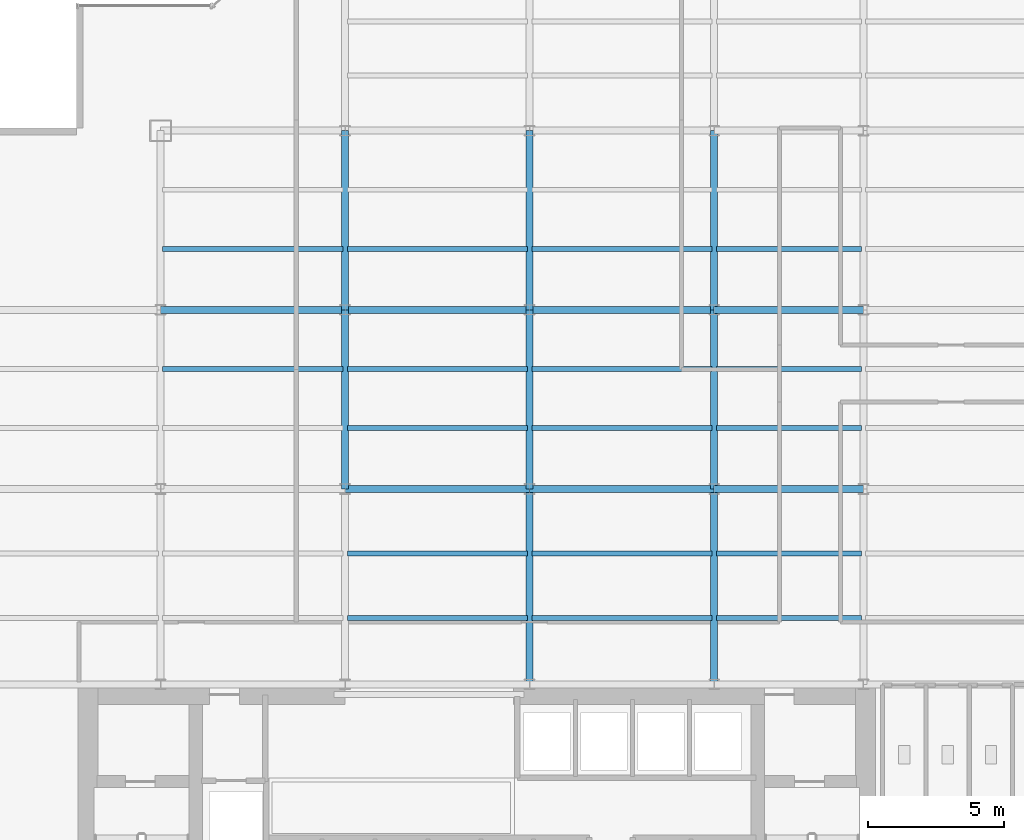
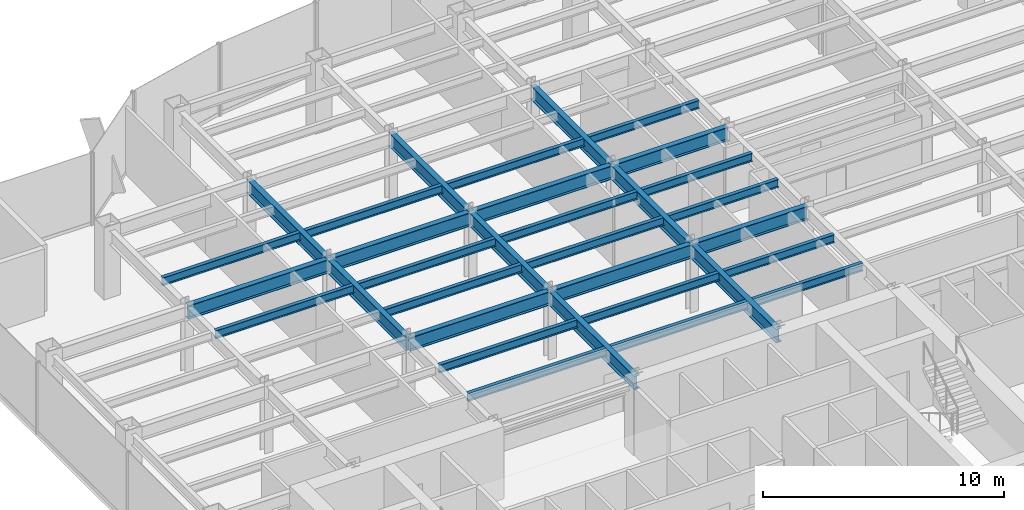
# One storey, part 7 of 26: 32 beams.
"""IFC4 building model written with IfcOpenShell, lengths in metres."""

from ifc_helpers import new_model, si_unit, derived_unit, direction, frame, origin, origin_2d, place, context, subcontext, project, spatial, i_section, extrude, source, transform, mapped, material, material_profile, profile_set, type_object, element, save


model = new_model("IFC4")

# Units and contexts
model_context = context("Model", 3, precision=1e-05, world=origin(), true_north=direction((0.0, 1.0)))
body_context = subcontext(model_context, "Body", "Model", "MODEL_VIEW")
ifc_project = project(units=[si_unit("LENGTHUNIT", "METRE"), si_unit("AREAUNIT", "SQUARE_METRE"), si_unit("VOLUMEUNIT", "CUBIC_METRE"), si_unit("PLANEANGLEUNIT", "RADIAN"), si_unit("MASSUNIT", "GRAM", prefix="KILO"), derived_unit("THERMALTRANSMITTANCEUNIT", [(si_unit("POWERUNIT", "WATT"), 1), (si_unit("LENGTHUNIT", "METRE"), -2), (si_unit("THERMODYNAMICTEMPERATUREUNIT", "KELVIN"), -1)])], contexts=[model_context])

# Site, building, storey
site_placement = place(None, origin())
site = spatial("IfcSite", under=ifc_project, at=site_placement, CompositionType="ELEMENT")
building_placement = place(site_placement, origin())
building = spatial("IfcBuilding", under=site, at=building_placement, Name="Skarnbrae Concourse Arena and Tower", CompositionType="ELEMENT")
storey_placement = place(building_placement, frame((0.0, 0.0, 99.60009765625)))
storey = spatial("IfcBuildingStorey", under=building, at=storey_placement, Name="L24", CompositionType="ELEMENT", Elevation=99.60009765625)

# Beams
ifc_material = material(Name="Steel CSA G40.21 350W", Category="steel")
ifc_material_profile_1 = material_profile(ifc_material, i_section(OverallWidth=0.256103515625, OverallDepth=0.693115234375, WebThickness=0.014404296875, FlangeThickness=0.023681640625, at=origin_2d()), Name="W690X170")
ifc_profile_set_1 = profile_set([ifc_material_profile_1], Name="Steel CSA G40.21 350W")
beam_type_1 = type_object("IfcBeamType", Name="BM-GIRD-W690X170", PredefinedType="BEAM", material=ifc_profile_set_1)
shared_shape_1 = source(origin(), body_context, "Body", "SweptSolid", [
    extrude(i_section(OverallWidth=0.256103515625, OverallDepth=0.693115234375, WebThickness=0.014404296875, FlangeThickness=0.023681640625, at=origin_2d()), origin(), (0.0, 0.0, 1.0), 6.60009765625),
])
for number, where, z_axis, x_axis, name in (
    (1, (14.39990234375, 21.199951171875, 3.053466796875), (0.0, 1.0, 0.0), (-1.0, 0.0, 0.0), "L24 Primary N-S girder X14.4-2"),
    (2, (21.199951171875, 21.199951171875, 3.053466796875), (0.0, 1.0, 0.0), (-1.0, 0.0, 0.0), "L24 Primary N-S girder X21.2-2"),
    (3, (28.0, 21.199951171875, 3.053466796875), (0.0, 1.0, 0.0), (-1.0, 0.0, 0.0), "L24 Primary N-S girder X28.0-2"),
):
    element("IfcBeam", number, at=place(storey_placement, frame(where, z_axis=z_axis, x_axis=x_axis)), inside=storey, type_object=beam_type_1, Name=name, PredefinedType="BEAM", context=body_context, shape_type="MappedRepresentation", body=[
        mapped(shared_shape_1, transform((0.0, 0.0, 0.0))),
    ])
shared_shape_2 = source(origin(), body_context, "Body", "SweptSolid", [
    extrude(i_section(OverallWidth=0.256103515625, OverallDepth=0.693115234375, WebThickness=0.014404296875, FlangeThickness=0.023681640625, at=origin_2d()), origin(), (0.0, 0.0, 1.0), 6.7998046875),
])
beam_placement = place(storey_placement, frame((7.60009765625, 27.800048828125, 3.053466796875), z_axis=(1.0, 0.0, 0.0), x_axis=(0.0, 1.0, 0.0)))
element("IfcBeam", 4, at=beam_placement, inside=storey, type_object=beam_type_1, Name="L24 Primary E-W girder Y27.8-2", PredefinedType="BEAM", context=body_context, shape_type="MappedRepresentation", body=[
    mapped(shared_shape_2, transform((0.0, 0.0, 0.0))),
])
shared_shape_3 = source(origin(), body_context, "Body", "SweptSolid", [
    extrude(i_section(OverallWidth=0.256103515625, OverallDepth=0.693115234375, WebThickness=0.014404296875, FlangeThickness=0.023681640625, at=origin_2d()), origin(), (0.0, 0.0, 1.0), 6.800048828125),
])
for number, where, z_axis, x_axis, name in (
    (5, (14.39990234375, 21.199951171875, 3.053466796875), (1.0, 0.0, 0.0), (0.0, 1.0, 0.0), "L24 Primary E-W girder Y21.2-3"),
    (6, (21.199951171875, 21.199951171875, 3.053466796875), (1.0, 0.0, 0.0), (0.0, 1.0, 0.0), "L24 Primary E-W girder Y21.2-4"),
    (7, (14.39990234375, 27.800048828125, 3.053466796875), (1.0, 0.0, 0.0), (0.0, 1.0, 0.0), "L24 Primary E-W girder Y27.8-3"),
    (8, (21.199951171875, 27.800048828125, 3.053466796875), (1.0, 0.0, 0.0), (0.0, 1.0, 0.0), "L24 Primary E-W girder Y27.8-4"),
):
    element("IfcBeam", number, at=place(storey_placement, frame(where, z_axis=z_axis, x_axis=x_axis)), inside=storey, type_object=beam_type_1, Name=name, PredefinedType="BEAM", context=body_context, shape_type="MappedRepresentation", body=[
        mapped(shared_shape_3, transform((0.0, 0.0, 0.0))),
    ])
shared_shape_4 = source(origin(), body_context, "Body", "SweptSolid", [
    extrude(i_section(OverallWidth=0.256103515625, OverallDepth=0.693115234375, WebThickness=0.014404296875, FlangeThickness=0.023681640625, at=origin_2d()), origin(), (0.0, 0.0, 1.0), 5.5),
])
for number, where, z_axis, x_axis, name in (
    (9, (28.0, 21.199951171875, 3.053466796875), (1.0, 0.0, 0.0), (0.0, 1.0, 0.0), "L24 Primary E-W girder Y21.2-5"),
    (10, (28.0, 27.800048828125, 3.053466796875), (1.0, 0.0, 0.0), (0.0, 1.0, 0.0), "L24 Primary E-W girder Y27.8-5"),
):
    element("IfcBeam", number, at=place(storey_placement, frame(where, z_axis=z_axis, x_axis=x_axis)), inside=storey, type_object=beam_type_1, Name=name, PredefinedType="BEAM", context=body_context, shape_type="MappedRepresentation", body=[
        mapped(shared_shape_4, transform((0.0, 0.0, 0.0))),
    ])
shared_shape_5 = source(origin(), body_context, "Body", "SweptSolid", [
    extrude(i_section(OverallWidth=0.256103515625, OverallDepth=0.693115234375, WebThickness=0.014404296875, FlangeThickness=0.023681640625, at=origin_2d()), origin(), (0.0, 0.0, 1.0), 7.199951171875),
])
for number, where, z_axis, x_axis, name in (
    (11, (21.199951171875, 14.0, 3.053466796875), (0.0, 1.0, 0.0), (-1.0, 0.0, 0.0), "L24 Primary N-S girder X21.2-1"),
    (12, (28.0, 14.0, 3.053466796875), (0.0, 1.0, 0.0), (-1.0, 0.0, 0.0), "L24 Primary N-S girder X28.0-1"),
):
    element("IfcBeam", number, at=place(storey_placement, frame(where, z_axis=z_axis, x_axis=x_axis)), inside=storey, type_object=beam_type_1, Name=name, PredefinedType="BEAM", context=body_context, shape_type="MappedRepresentation", body=[
        mapped(shared_shape_5, transform((0.0, 0.0, 0.0))),
    ])
shared_shape_6 = source(origin(), body_context, "Body", "SweptSolid", [
    extrude(i_section(OverallWidth=0.256103515625, OverallDepth=0.693115234375, WebThickness=0.014404296875, FlangeThickness=0.023681640625, at=origin_2d()), origin(), (0.0, 0.0, 1.0), 6.599853515625),
])
for number, where, z_axis, x_axis, name in (
    (13, (14.39990234375, 27.800048828125, 3.053466796875), (0.0, 1.0, 0.0), (-1.0, 0.0, 0.0), "L24 Primary N-S girder X14.4-3"),
    (14, (21.199951171875, 27.800048828125, 3.053466796875), (0.0, 1.0, 0.0), (-1.0, 0.0, 0.0), "L24 Primary N-S girder X21.2-3"),
    (15, (28.0, 27.800048828125, 3.053466796875), (0.0, 1.0, 0.0), (-1.0, 0.0, 0.0), "L24 Primary N-S girder X28.0-3"),
):
    element("IfcBeam", number, at=place(storey_placement, frame(where, z_axis=z_axis, x_axis=x_axis)), inside=storey, type_object=beam_type_1, Name=name, PredefinedType="BEAM", context=body_context, shape_type="MappedRepresentation", body=[
        mapped(shared_shape_6, transform((0.0, 0.0, 0.0))),
    ])
ifc_material_profile_2 = material_profile(ifc_material, i_section(OverallWidth=0.177978515625, OverallDepth=0.406982421875, WebThickness=0.0078125, FlangeThickness=0.0126953125, at=origin_2d()), Name="W410X60")
ifc_profile_set_2 = profile_set([ifc_material_profile_2], Name="Steel CSA G40.21 350W")
beam_type_2 = type_object("IfcBeamType", Name="BM-JOIST-W410X60", PredefinedType="JOIST", material=ifc_profile_set_2)
shared_shape_7 = source(origin(), body_context, "Body", "SweptSolid", [
    extrude(i_section(OverallWidth=0.177978515625, OverallDepth=0.406982421875, WebThickness=0.0078125, FlangeThickness=0.0126953125, at=origin_2d()), origin(), (0.0, 0.0, 1.0), 6.64013671875),
])
for number, where, z_axis, x_axis, name in (
    (16, (14.47998046875, 16.447998046875, 3.1962890625), (1.0, 0.0, 0.0), (0.0, 1.0, 0.0), "L24 Secondary floor joist 1.1.3"),
    (17, (14.47998046875, 18.823974609375, 3.1962890625), (1.0, 0.0, 0.0), (0.0, 1.0, 0.0), "L24 Secondary floor joist 1.2.3"),
    (18, (14.47998046875, 23.444091796875, 3.1962890625), (1.0, 0.0, 0.0), (0.0, 1.0, 0.0), "L24 Secondary floor joist 2.1.3"),
    (19, (7.679931640625, 25.6220703125, 3.1962890625), (1.0, 0.0, 0.0), (0.0, 1.0, 0.0), "L24 Secondary floor joist 2.2.2"),
    (20, (14.47998046875, 25.6220703125, 3.1962890625), (1.0, 0.0, 0.0), (0.0, 1.0, 0.0), "L24 Secondary floor joist 2.2.3"),
    (21, (7.679931640625, 30.0439453125, 3.1962890625), (1.0, 0.0, 0.0), (0.0, 1.0, 0.0), "L24 Secondary floor joist 3.1.1"),
    (22, (14.47998046875, 30.0439453125, 3.1962890625), (1.0, 0.0, 0.0), (0.0, 1.0, 0.0), "L24 Secondary floor joist 3.1.2"),
):
    element("IfcBeam", number, at=place(storey_placement, frame(where, z_axis=z_axis, x_axis=x_axis)), inside=storey, type_object=beam_type_2, Name=name, PredefinedType="JOIST", context=body_context, shape_type="MappedRepresentation", body=[
        mapped(shared_shape_7, transform((0.0, 0.0, 0.0))),
    ])
shared_shape_8 = source(origin(), body_context, "Body", "SweptSolid", [
    extrude(i_section(OverallWidth=0.177978515625, OverallDepth=0.406982421875, WebThickness=0.0078125, FlangeThickness=0.0126953125, at=origin_2d()), origin(), (0.0, 0.0, 1.0), 6.639892578125),
])
for number, where, z_axis, x_axis, name in (
    (23, (21.280029296875, 16.447998046875, 3.1962890625), (1.0, 0.0, 0.0), (0.0, 1.0, 0.0), "L24 Secondary floor joist 1.1.4"),
    (24, (21.280029296875, 18.823974609375, 3.1962890625), (1.0, 0.0, 0.0), (0.0, 1.0, 0.0), "L24 Secondary floor joist 1.2.4"),
    (25, (21.280029296875, 23.444091796875, 3.1962890625), (1.0, 0.0, 0.0), (0.0, 1.0, 0.0), "L24 Secondary floor joist 2.1.4"),
    (26, (21.280029296875, 25.6220703125, 3.1962890625), (1.0, 0.0, 0.0), (0.0, 1.0, 0.0), "L24 Secondary floor joist 2.2.4"),
    (27, (21.280029296875, 30.0439453125, 3.1962890625), (1.0, 0.0, 0.0), (0.0, 1.0, 0.0), "L24 Secondary floor joist 3.1.3"),
):
    element("IfcBeam", number, at=place(storey_placement, frame(where, z_axis=z_axis, x_axis=x_axis)), inside=storey, type_object=beam_type_2, Name=name, PredefinedType="JOIST", context=body_context, shape_type="MappedRepresentation", body=[
        mapped(shared_shape_8, transform((0.0, 0.0, 0.0))),
    ])
shared_shape_9 = source(origin(), body_context, "Body", "SweptSolid", [
    extrude(i_section(OverallWidth=0.177978515625, OverallDepth=0.406982421875, WebThickness=0.0078125, FlangeThickness=0.0126953125, at=origin_2d()), origin(), (0.0, 0.0, 1.0), 5.33984375),
])
for number, where, z_axis, x_axis, name in (
    (28, (28.080078125, 16.447998046875, 3.1962890625), (1.0, 0.0, 0.0), (0.0, 1.0, 0.0), "L24 Secondary floor joist 1.1.5"),
    (29, (28.080078125, 18.823974609375, 3.1962890625), (1.0, 0.0, 0.0), (0.0, 1.0, 0.0), "L24 Secondary floor joist 1.2.5"),
    (30, (28.080078125, 23.444091796875, 3.1962890625), (1.0, 0.0, 0.0), (0.0, 1.0, 0.0), "L24 Secondary floor joist 2.1.5"),
    (31, (28.080078125, 25.6220703125, 3.1962890625), (1.0, 0.0, 0.0), (0.0, 1.0, 0.0), "L24 Secondary floor joist 2.2.5"),
    (32, (28.080078125, 30.0439453125, 3.1962890625), (1.0, 0.0, 0.0), (0.0, 1.0, 0.0), "L24 Secondary floor joist 3.1.4"),
):
    element("IfcBeam", number, at=place(storey_placement, frame(where, z_axis=z_axis, x_axis=x_axis)), inside=storey, type_object=beam_type_2, Name=name, PredefinedType="JOIST", context=body_context, shape_type="MappedRepresentation", body=[
        mapped(shared_shape_9, transform((0.0, 0.0, 0.0))),
    ])

save(model, "model.ifc")
